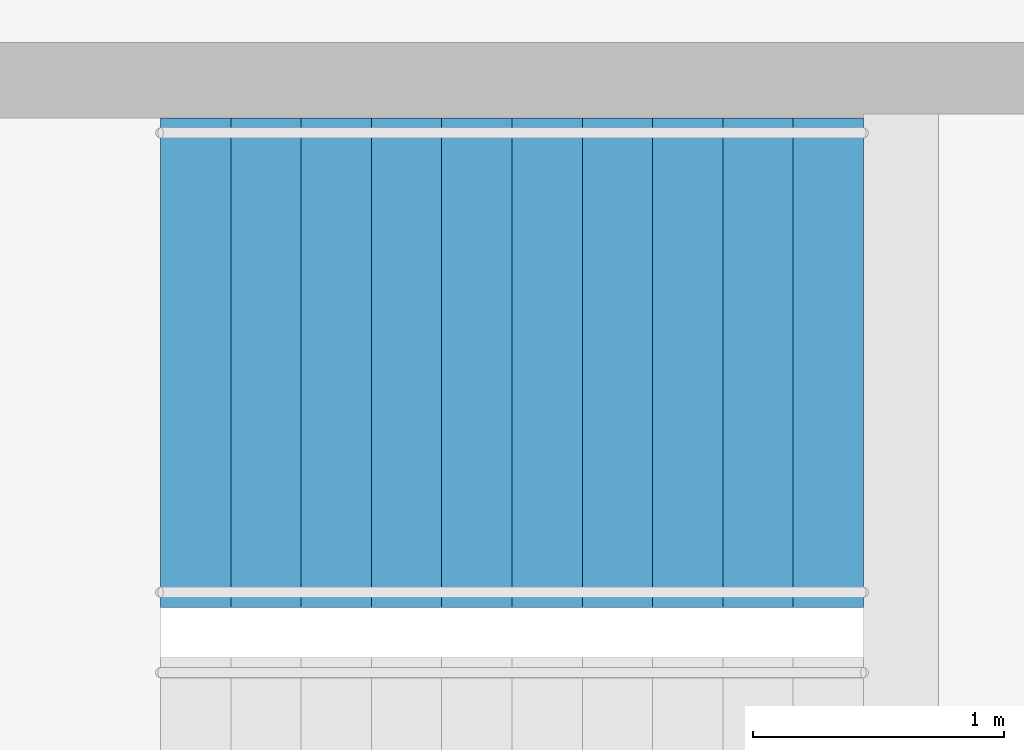
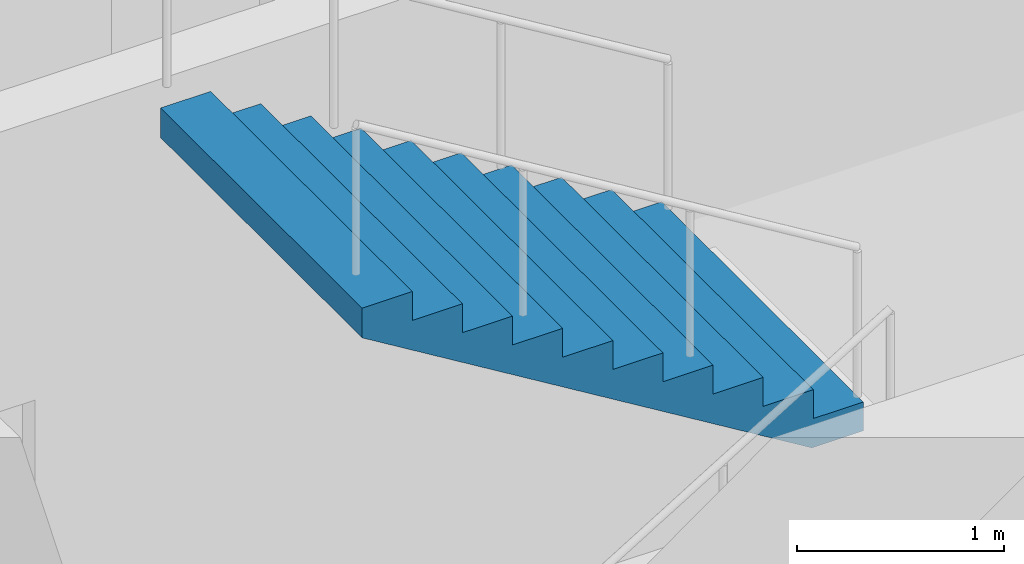
# One storey, part 20 of 23: 1 stair flight, 1 element without a shape of its own.
"""IFC4 building model written with IfcOpenShell, lengths in metres."""

from ifc_helpers import new_model, si_unit, direction, frame, origin, place, context, subcontext, project, spatial, triangles, material, type_object, element, aggregate, save


model = new_model("IFC4")

# Units and contexts
model_context = context("Model", 3, precision=1e-05, world=origin(), true_north=direction((0.0, 1.0)))
body_context = subcontext(model_context, "Body", "Model", "MODEL_VIEW")
ifc_project = project(units=[si_unit("LENGTHUNIT", "METRE"), si_unit("AREAUNIT", "SQUARE_METRE"), si_unit("VOLUMEUNIT", "CUBIC_METRE"), si_unit("PLANEANGLEUNIT", "RADIAN"), si_unit("MASSUNIT", "GRAM", prefix="KILO")], contexts=[model_context])

# Site, building, storey
site_placement = place(None, origin())
site = spatial("IfcSite", under=ifc_project, at=site_placement, CompositionType="ELEMENT")
building_placement = place(site_placement, origin())
building = spatial("IfcBuilding", under=site, at=building_placement, Name="Orbita Commons", CompositionType="ELEMENT")
storey_placement = place(building_placement, frame((0.0, 0.0, 220.300048828125)))
storey = spatial("IfcBuildingStorey", under=building, at=storey_placement, Name="L54", CompositionType="ELEMENT", Elevation=220.300048828125)

# Stair, stair flight
ifc_material_1 = material(Name="Precast concrete C40/50", Category="concrete")
stair_type = type_object("IfcStairType", Name="Exit stair S1 2 flights 11 risers 170", PredefinedType="HALF_TURN_STAIR", material=ifc_material_1)
stair_placement = place(storey_placement, origin())
stair = element("IfcStair", 1, at=stair_placement, inside=storey, type_object=stair_type, Name="Exit stair S1 L54", PredefinedType="HALF_TURN_STAIR")
ifc_material_2 = material(Name="Precast concrete C40/50", Category="concrete")
stair_flight_type = type_object("IfcStairFlightType", Name="Stair flight 11 risers 170 x 280", PredefinedType="STRAIGHT", material=ifc_material_2)
stair_flight_placement = place(storey_placement, frame((23.25, 29.27490234375, 1.875), z_axis=(0.0, 0.0, 1.0), x_axis=(-1.0, 0.0, 0.0)))
stair_flight = element("IfcStairFlight", 2, at=stair_flight_placement, type_object=stair_flight_type, Name="S1 flight 2", NumberOfRisers=11, NumberOfTreads=10, PredefinedType="STRAIGHT", RiserHeight=0.170454545, TreadLength=0.28, context=body_context, shape_type="Tessellation", body=[
    triangles([(0.0, 0.974976, 0.0), (0.0, 0.974976, 0.021307), (0.0, 0.81248, 0.021307), (0.0, 0.81248, 0.0), (0.0, 0.649984, 0.021307), (0.0, 0.649984, 0.0), (0.0, 0.487488, 0.021307), (0.0, 0.487488, 0.0), (0.0, 0.324992, 0.021307), (0.0, 0.324992, 0.0), (0.0, 0.162496, 0.021307), (0.0, 0.162496, 0.0), (0.0, 0.0, 0.021307), (0.0, 0.0, 0.0), (0.0, -0.162496, 0.021307), (0.0, -0.162496, 0.0), (0.0, -0.324992, 0.021307), (0.0, -0.324992, 0.0), (0.0, -0.487488, 0.021307), (0.0, -0.487488, 0.0), (0.0, -0.649984, 0.021307), (0.0, -0.649984, 0.0), (0.0, -0.81248, 0.021307), (0.0, -0.81248, 0.0), (0.0, -0.974976, 0.021307), (0.0, -0.974976, 0.0), (0.0, 0.974976, 0.042614), (0.0, 0.81248, 0.042614), (0.0, 0.649984, 0.042614), (0.0, 0.487488, 0.042614), (0.0, 0.324992, 0.042614), (0.0, 0.162496, 0.042614), (0.0, 0.0, 0.042614), (0.0, -0.162496, 0.042614), (0.0, -0.324992, 0.042614), (0.0, -0.487488, 0.042614), (0.0, -0.649984, 0.042614), (0.0, -0.81248, 0.042614), (0.0, -0.974976, 0.042614), (0.0, 0.974976, 0.06392), (0.0, 0.81248, 0.06392), (0.0, 0.649984, 0.06392), (0.0, 0.487488, 0.06392), (0.0, 0.324992, 0.06392), (0.0, 0.162496, 0.06392), (0.0, 0.0, 0.06392), (0.0, -0.162496, 0.06392), (0.0, -0.324992, 0.06392), (0.0, -0.487488, 0.06392), (0.0, -0.649984, 0.06392), (0.0, -0.81248, 0.06392), (0.0, -0.974976, 0.06392), (0.0, 0.974976, 0.085227), (0.0, 0.81248, 0.085227), (0.0, 0.649984, 0.085227), (0.0, 0.487488, 0.085227), (0.0, 0.324992, 0.085227), (0.0, 0.162496, 0.085227), (0.0, 0.0, 0.085227), (0.0, -0.162496, 0.085227), (0.0, -0.324992, 0.085227), (0.0, -0.487488, 0.085227), (0.0, -0.649984, 0.085227), (0.0, -0.81248, 0.085227), (0.0, -0.974976, 0.085227), (0.0, 0.974976, 0.106534), (0.0, 0.81248, 0.106534), (0.0, 0.649984, 0.106534), (0.0, 0.487488, 0.106534), (0.0, 0.324992, 0.106534), (0.0, 0.162496, 0.106534), (0.0, 0.0, 0.106534), (0.0, -0.162496, 0.106534), (0.0, -0.324992, 0.106534), (0.0, -0.487488, 0.106534), (0.0, -0.649984, 0.106534), (0.0, -0.81248, 0.106534), (0.0, -0.974976, 0.106534), (0.0, 0.974976, 0.127841), (0.0, 0.81248, 0.127841), (0.0, 0.649984, 0.127841), (0.0, 0.487488, 0.127841), (0.0, 0.324992, 0.127841), (0.0, 0.162496, 0.127841), (0.0, 0.0, 0.127841), (0.0, -0.162496, 0.127841), (0.0, -0.324992, 0.127841), (0.0, -0.487488, 0.127841), (0.0, -0.649984, 0.127841), (0.0, -0.81248, 0.127841), (0.0, -0.974976, 0.127841), (0.0, 0.974976, 0.149148), (0.0, 0.81248, 0.149148), (0.0, 0.649984, 0.149148), (0.0, 0.487488, 0.149148), (0.0, 0.324992, 0.149148), (0.0, 0.162496, 0.149148), (0.0, 0.0, 0.149148), (0.0, -0.162496, 0.149148), (0.0, -0.324992, 0.149148), (0.0, -0.487488, 0.149148), (0.0, -0.649984, 0.149148), (0.0, -0.81248, 0.149148), (0.0, -0.974976, 0.149148), (0.0, 0.974976, 0.170455), (0.0, 0.81248, 0.170455), (0.0, 0.649984, 0.170455), (0.0, 0.487488, 0.170455), (0.0, 0.324992, 0.170455), (0.0, 0.162496, 0.170455), (0.0, 0.0, 0.170455), (0.0, -0.162496, 0.170455), (0.0, -0.324992, 0.170455), (0.0, -0.487488, 0.170455), (0.0, -0.649984, 0.170455), (0.0, -0.81248, 0.170455), (0.0, -0.974976, 0.170455), (0.28, 0.974976, 0.170455), (0.28, 0.81248, 0.170455), (0.28, 0.649984, 0.170455), (0.28, 0.487488, 0.170455), (0.28, 0.324992, 0.170455), (0.28, 0.162496, 0.170455), (0.28, 0.0, 0.170455), (0.28, -0.162496, 0.170455), (0.28, -0.324992, 0.170455), (0.28, -0.487488, 0.170455), (0.28, -0.649984, 0.170455), (0.28, -0.81248, 0.170455), (0.28, -0.974976, 0.170455), (0.28, 0.974976, 0.340909), (0.28, 0.81248, 0.340909), (0.28, 0.649984, 0.340909), (0.28, 0.487488, 0.340909), (0.28, 0.324992, 0.340909), (0.28, 0.162496, 0.340909), (0.28, 0.0, 0.340909), (0.28, -0.162496, 0.340909), (0.28, -0.324992, 0.340909), (0.28, -0.487488, 0.340909), (0.28, -0.649984, 0.340909), (0.28, -0.81248, 0.340909), (0.28, -0.974976, 0.340909), (0.56, 0.974976, 0.340909), (0.56, 0.81248, 0.340909), (0.56, 0.649984, 0.340909), (0.56, 0.487488, 0.340909), (0.56, 0.324992, 0.340909), (0.56, 0.162496, 0.340909), (0.56, 0.0, 0.340909), (0.56, -0.162496, 0.340909), (0.56, -0.324992, 0.340909), (0.56, -0.487488, 0.340909), (0.56, -0.649984, 0.340909), (0.56, -0.81248, 0.340909), (0.56, -0.974976, 0.340909), (0.56, 0.974976, 0.511364), (0.56, 0.81248, 0.511364), (0.56, 0.649984, 0.511364), (0.56, 0.487488, 0.511364), (0.56, 0.324992, 0.511364), (0.56, 0.162496, 0.511364), (0.56, 0.0, 0.511364), (0.56, -0.162496, 0.511364), (0.56, -0.324992, 0.511364), (0.56, -0.487488, 0.511364), (0.56, -0.649984, 0.511364), (0.56, -0.81248, 0.511364), (0.56, -0.974976, 0.511364), (0.84, 0.974976, 0.511364), (0.84, 0.81248, 0.511364), (0.84, 0.649984, 0.511364), (0.84, 0.487488, 0.511364), (0.84, 0.324992, 0.511364), (0.84, 0.162496, 0.511364), (0.84, 0.0, 0.511364), (0.84, -0.162496, 0.511364), (0.84, -0.324992, 0.511364), (0.84, -0.487488, 0.511364), (0.84, -0.649984, 0.511364), (0.84, -0.81248, 0.511364), (0.84, -0.974976, 0.511364), (0.84, 0.974976, 0.681818), (0.84, 0.81248, 0.681818), (0.84, 0.649984, 0.681818), (0.84, 0.487488, 0.681818), (0.84, 0.324992, 0.681818), (0.84, 0.162496, 0.681818), (0.84, 0.0, 0.681818), (0.84, -0.162496, 0.681818), (0.84, -0.324992, 0.681818), (0.84, -0.487488, 0.681818), (0.84, -0.649984, 0.681818), (0.84, -0.81248, 0.681818), (0.84, -0.974976, 0.681818), (1.12, 0.974976, 0.681818), (1.12, 0.81248, 0.681818), (1.12, 0.649984, 0.681818), (1.12, 0.487488, 0.681818), (1.12, 0.324992, 0.681818), (1.12, 0.162496, 0.681818), (1.12, 0.0, 0.681818), (1.12, -0.162496, 0.681818), (1.12, -0.324992, 0.681818), (1.12, -0.487488, 0.681818), (1.12, -0.649984, 0.681818), (1.12, -0.81248, 0.681818), (1.12, -0.974976, 0.681818), (1.12, 0.974976, 0.852273), (1.12, 0.81248, 0.852273), (1.12, 0.649984, 0.852273), (1.12, 0.487488, 0.852273), (1.12, 0.324992, 0.852273), (1.12, 0.162496, 0.852273), (1.12, 0.0, 0.852273), (1.12, -0.162496, 0.852273), (1.12, -0.324992, 0.852273), (1.12, -0.487488, 0.852273), (1.12, -0.649984, 0.852273), (1.12, -0.81248, 0.852273), (1.12, -0.974976, 0.852273), (1.4, 0.974976, 0.852273), (1.4, 0.81248, 0.852273), (1.4, 0.649984, 0.852273), (1.4, 0.487488, 0.852273), (1.4, 0.324992, 0.852273), (1.4, 0.162496, 0.852273), (1.4, 0.0, 0.852273), (1.4, -0.162496, 0.852273), (1.4, -0.324992, 0.852273), (1.4, -0.487488, 0.852273), (1.4, -0.649984, 0.852273), (1.4, -0.81248, 0.852273), (1.4, -0.974976, 0.852273), (1.4, 0.974976, 1.022727), (1.4, 0.81248, 1.022727), (1.4, 0.649984, 1.022727), (1.4, 0.487488, 1.022727), (1.4, 0.324992, 1.022727), (1.4, 0.162496, 1.022727), (1.4, 0.0, 1.022727), (1.4, -0.162496, 1.022727), (1.4, -0.324992, 1.022727), (1.4, -0.487488, 1.022727), (1.4, -0.649984, 1.022727), (1.4, -0.81248, 1.022727), (1.4, -0.974976, 1.022727), (1.68, 0.974976, 1.022727), (1.68, 0.81248, 1.022727), (1.68, 0.649984, 1.022727), (1.68, 0.487488, 1.022727), (1.68, 0.324992, 1.022727), (1.68, 0.162496, 1.022727), (1.68, 0.0, 1.022727), (1.68, -0.162496, 1.022727), (1.68, -0.324992, 1.022727), (1.68, -0.487488, 1.022727), (1.68, -0.649984, 1.022727), (1.68, -0.81248, 1.022727), (1.68, -0.974976, 1.022727), (1.68, 0.974976, 1.193182), (1.68, 0.81248, 1.193182), (1.68, 0.649984, 1.193182), (1.68, 0.487488, 1.193182), (1.68, 0.324992, 1.193182), (1.68, 0.162496, 1.193182), (1.68, 0.0, 1.193182), (1.68, -0.162496, 1.193182), (1.68, -0.324992, 1.193182), (1.68, -0.487488, 1.193182), (1.68, -0.649984, 1.193182), (1.68, -0.81248, 1.193182), (1.68, -0.974976, 1.193182), (1.96, 0.974976, 1.193182), (1.96, 0.81248, 1.193182), (1.96, 0.649984, 1.193182), (1.96, 0.487488, 1.193182), (1.96, 0.324992, 1.193182), (1.96, 0.162496, 1.193182), (1.96, 0.0, 1.193182), (1.96, -0.162496, 1.193182), (1.96, -0.324992, 1.193182), (1.96, -0.487488, 1.193182), (1.96, -0.649984, 1.193182), (1.96, -0.81248, 1.193182), (1.96, -0.974976, 1.193182), (1.96, 0.974976, 1.363636), (1.96, 0.81248, 1.363636), (1.96, 0.649984, 1.363636), (1.96, 0.487488, 1.363636), (1.96, 0.324992, 1.363636), (1.96, 0.162496, 1.363636), (1.96, 0.0, 1.363636), (1.96, -0.162496, 1.363636), (1.96, -0.324992, 1.363636), (1.96, -0.487488, 1.363636), (1.96, -0.649984, 1.363636), (1.96, -0.81248, 1.363636), (1.96, -0.974976, 1.363636), (2.24, 0.974976, 1.363636), (2.24, 0.81248, 1.363636), (2.24, 0.649984, 1.363636), (2.24, 0.487488, 1.363636), (2.24, 0.324992, 1.363636), (2.24, 0.162496, 1.363636), (2.24, 0.0, 1.363636), (2.24, -0.162496, 1.363636), (2.24, -0.324992, 1.363636), (2.24, -0.487488, 1.363636), (2.24, -0.649984, 1.363636), (2.24, -0.81248, 1.363636), (2.24, -0.974976, 1.363636), (2.24, 0.974976, 1.534091), (2.24, 0.81248, 1.534091), (2.24, 0.649984, 1.534091), (2.24, 0.487488, 1.534091), (2.24, 0.324992, 1.534091), (2.24, 0.162496, 1.534091), (2.24, 0.0, 1.534091), (2.24, -0.162496, 1.534091), (2.24, -0.324992, 1.534091), (2.24, -0.487488, 1.534091), (2.24, -0.649984, 1.534091), (2.24, -0.81248, 1.534091), (2.24, -0.974976, 1.534091), (2.52, 0.974976, 1.534091), (2.52, 0.81248, 1.534091), (2.52, 0.649984, 1.534091), (2.52, 0.487488, 1.534091), (2.52, 0.324992, 1.534091), (2.52, 0.162496, 1.534091), (2.52, 0.0, 1.534091), (2.52, -0.162496, 1.534091), (2.52, -0.324992, 1.534091), (2.52, -0.487488, 1.534091), (2.52, -0.649984, 1.534091), (2.52, -0.81248, 1.534091), (2.52, -0.974976, 1.534091), (2.52, 0.974976, 1.704545), (2.52, 0.81248, 1.704545), (2.52, 0.649984, 1.704545), (2.52, 0.487488, 1.704545), (2.52, 0.324992, 1.704545), (2.52, 0.162496, 1.704545), (2.52, 0.0, 1.704545), (2.52, -0.162496, 1.704545), (2.52, -0.324992, 1.704545), (2.52, -0.487488, 1.704545), (2.52, -0.649984, 1.704545), (2.52, -0.81248, 1.704545), (2.52, -0.974976, 1.704545), (2.8, 0.974976, 1.704545), (2.8, 0.81248, 1.704545), (2.8, 0.649984, 1.704545), (2.8, 0.487488, 1.704545), (2.8, 0.324992, 1.704545), (2.8, 0.162496, 1.704545), (2.8, 0.0, 1.704545), (2.8, -0.162496, 1.704545), (2.8, -0.324992, 1.704545), (2.8, -0.487488, 1.704545), (2.8, -0.649984, 1.704545), (2.8, -0.81248, 1.704545), (2.8, -0.974976, 1.704545), (2.8, 0.974976, 1.682609), (2.8, 0.81248, 1.682609), (2.8, 0.649984, 1.682609), (2.8, 0.487488, 1.682609), (2.8, 0.324992, 1.682609), (2.8, 0.162496, 1.682609), (2.8, 0.0, 1.682609), (2.8, -0.162496, 1.682609), (2.8, -0.324992, 1.682609), (2.8, -0.487488, 1.682609), (2.8, -0.649984, 1.682609), (2.8, -0.81248, 1.682609), (2.8, -0.974976, 1.682609), (2.8, 0.974976, 1.660672), (2.8, 0.81248, 1.660672), (2.8, 0.649984, 1.660672), (2.8, 0.487488, 1.660672), (2.8, 0.324992, 1.660672), (2.8, 0.162496, 1.660672), (2.8, 0.0, 1.660672), (2.8, -0.162496, 1.660672), (2.8, -0.324992, 1.660672), (2.8, -0.487488, 1.660672), (2.8, -0.649984, 1.660672), (2.8, -0.81248, 1.660672), (2.8, -0.974976, 1.660672), (2.8, 0.974976, 1.638735), (2.8, 0.81248, 1.638735), (2.8, 0.649984, 1.638735), (2.8, 0.487488, 1.638735), (2.8, 0.324992, 1.638735), (2.8, 0.162496, 1.638735), (2.8, 0.0, 1.638735), (2.8, -0.162496, 1.638735), (2.8, -0.324992, 1.638735), (2.8, -0.487488, 1.638735), (2.8, -0.649984, 1.638735), (2.8, -0.81248, 1.638735), (2.8, -0.974976, 1.638735), (2.8, 0.974976, 1.616798), (2.8, 0.81248, 1.616798), (2.8, 0.649984, 1.616798), (2.8, 0.487488, 1.616798), (2.8, 0.324992, 1.616798), (2.8, 0.162496, 1.616798), (2.8, 0.0, 1.616798), (2.8, -0.162496, 1.616798), (2.8, -0.324992, 1.616798), (2.8, -0.487488, 1.616798), (2.8, -0.649984, 1.616798), (2.8, -0.81248, 1.616798), (2.8, -0.974976, 1.616798), (2.8, 0.974976, 1.594861), (2.8, 0.81248, 1.594861), (2.8, 0.649984, 1.594861), (2.8, 0.487488, 1.594861), (2.8, 0.324992, 1.594861), (2.8, 0.162496, 1.594861), (2.8, 0.0, 1.594861), (2.8, -0.162496, 1.594861), (2.8, -0.324992, 1.594861), (2.8, -0.487488, 1.594861), (2.8, -0.649984, 1.594861), (2.8, -0.81248, 1.594861), (2.8, -0.974976, 1.594861), (2.8, 0.974976, 1.572925), (2.8, 0.81248, 1.572925), (2.8, 0.649984, 1.572925), (2.8, 0.487488, 1.572925), (2.8, 0.324992, 1.572925), (2.8, 0.162496, 1.572925), (2.8, 0.0, 1.572925), (2.8, -0.162496, 1.572925), (2.8, -0.324992, 1.572925), (2.8, -0.487488, 1.572925), (2.8, -0.649984, 1.572925), (2.8, -0.81248, 1.572925), (2.8, -0.974976, 1.572925), (2.8, 0.974976, 1.550988), (2.8, 0.81248, 1.550988), (2.8, 0.649984, 1.550988), (2.8, 0.487488, 1.550988), (2.8, 0.324992, 1.550988), (2.8, 0.162496, 1.550988), (2.8, 0.0, 1.550988), (2.8, -0.162496, 1.550988), (2.8, -0.324992, 1.550988), (2.8, -0.487488, 1.550988), (2.8, -0.649984, 1.550988), (2.8, -0.81248, 1.550988), (2.8, -0.974976, 1.550988), (2.8, 0.974976, 1.529051), (2.8, 0.81248, 1.529051), (2.8, 0.649984, 1.529051), (2.8, 0.487488, 1.529051), (2.8, 0.324992, 1.529051), (2.8, 0.162496, 1.529051), (2.8, 0.0, 1.529051), (2.8, -0.162496, 1.529051), (2.8, -0.324992, 1.529051), (2.8, -0.487488, 1.529051), (2.8, -0.649984, 1.529051), (2.8, -0.81248, 1.529051), (2.8, -0.974976, 1.529051), (0.288279, 0.974976, 0.0), (0.288279, 0.81248, 0.0), (0.288279, 0.649984, 0.0), (0.288279, 0.487488, 0.0), (0.288279, 0.324992, 0.0), (0.288279, 0.162496, 0.0), (0.288279, 0.0, 0.0), (0.288279, -0.162496, 0.0), (0.288279, -0.324992, 0.0), (0.288279, -0.487488, 0.0), (0.288279, -0.649984, 0.0), (0.288279, -0.81248, 0.0), (0.288279, -0.974976, 0.0)], [[3, 2, 1], [4, 3, 1], [5, 3, 4], [6, 5, 4], [7, 5, 6], [8, 7, 6], [9, 7, 8], [10, 9, 8], [11, 9, 10], [12, 11, 10], [13, 11, 12], [14, 13, 12], [15, 13, 14], [16, 15, 14], [17, 15, 16], [18, 17, 16], [19, 17, 18], [20, 19, 18], [21, 19, 20], [22, 21, 20], [23, 21, 22], [24, 23, 22], [25, 23, 24], [26, 25, 24], [28, 27, 2], [3, 28, 2], [29, 28, 3], [5, 29, 3], [30, 29, 5], [7, 30, 5], [31, 30, 7], [9, 31, 7], [32, 31, 9], [11, 32, 9], [33, 32, 11], [13, 33, 11], [34, 33, 13], [15, 34, 13], [35, 34, 15], [17, 35, 15], [36, 35, 17], [19, 36, 17], [37, 36, 19], [21, 37, 19], [38, 37, 21], [23, 38, 21], [39, 38, 23], [25, 39, 23], [41, 40, 27], [28, 41, 27], [42, 41, 28], [29, 42, 28], [43, 42, 29], [30, 43, 29], [44, 43, 30], [31, 44, 30], [45, 44, 31], [32, 45, 31], [46, 45, 32], [33, 46, 32], [47, 46, 33], [34, 47, 33], [48, 47, 34], [35, 48, 34], [49, 48, 35], [36, 49, 35], [50, 49, 36], [37, 50, 36], [51, 50, 37], [38, 51, 37], [52, 51, 38], [39, 52, 38], [54, 53, 40], [41, 54, 40], [55, 54, 41], [42, 55, 41], [56, 55, 42], [43, 56, 42], [57, 56, 43], [44, 57, 43], [58, 57, 44], [45, 58, 44], [59, 58, 45], [46, 59, 45], [60, 59, 46], [47, 60, 46], [61, 60, 47], [48, 61, 47], [62, 61, 48], [49, 62, 48], [63, 62, 49], [50, 63, 49], [64, 63, 50], [51, 64, 50], [65, 64, 51], [52, 65, 51], [67, 66, 53], [54, 67, 53], [68, 67, 54], [55, 68, 54], [69, 68, 55], [56, 69, 55], [70, 69, 56], [57, 70, 56], [71, 70, 57], [58, 71, 57], [72, 71, 58], [59, 72, 58], [73, 72, 59], [60, 73, 59], [74, 73, 60], [61, 74, 60], [75, 74, 61], [62, 75, 61], [76, 75, 62], [63, 76, 62], [77, 76, 63], [64, 77, 63], [78, 77, 64], [65, 78, 64], [80, 79, 66], [67, 80, 66], [81, 80, 67], [68, 81, 67], [82, 81, 68], [69, 82, 68], [83, 82, 69], [70, 83, 69], [84, 83, 70], [71, 84, 70], [85, 84, 71], [72, 85, 71], [86, 85, 72], [73, 86, 72], [87, 86, 73], [74, 87, 73], [88, 87, 74], [75, 88, 74], [89, 88, 75], [76, 89, 75], [90, 89, 76], [77, 90, 76], [91, 90, 77], [78, 91, 77], [93, 92, 79], [80, 93, 79], [94, 93, 80], [81, 94, 80], [95, 94, 81], [82, 95, 81], [96, 95, 82], [83, 96, 82], [97, 96, 83], [84, 97, 83], [98, 97, 84], [85, 98, 84], [99, 98, 85], [86, 99, 85], [100, 99, 86], [87, 100, 86], [101, 100, 87], [88, 101, 87], [102, 101, 88], [89, 102, 88], [103, 102, 89], [90, 103, 89], [104, 103, 90], [91, 104, 90], [106, 105, 92], [93, 106, 92], [107, 106, 93], [94, 107, 93], [108, 107, 94], [95, 108, 94], [109, 108, 95], [96, 109, 95], [110, 109, 96], [97, 110, 96], [111, 110, 97], [98, 111, 97], [112, 111, 98], [99, 112, 98], [113, 112, 99], [100, 113, 99], [114, 113, 100], [101, 114, 100], [115, 114, 101], [102, 115, 101], [116, 115, 102], [103, 116, 102], [117, 116, 103], [104, 117, 103], [119, 118, 105], [106, 119, 105], [120, 119, 106], [107, 120, 106], [121, 120, 107], [108, 121, 107], [122, 121, 108], [109, 122, 108], [123, 122, 109], [110, 123, 109], [124, 123, 110], [111, 124, 110], [125, 124, 111], [112, 125, 111], [126, 125, 112], [113, 126, 112], [127, 126, 113], [114, 127, 113], [128, 127, 114], [115, 128, 114], [129, 128, 115], [116, 129, 115], [130, 129, 116], [117, 130, 116], [132, 131, 118], [119, 132, 118], [133, 132, 119], [120, 133, 119], [134, 133, 120], [121, 134, 120], [135, 134, 121], [122, 135, 121], [136, 135, 122], [123, 136, 122], [137, 136, 123], [124, 137, 123], [138, 137, 124], [125, 138, 124], [139, 138, 125], [126, 139, 125], [140, 139, 126], [127, 140, 126], [141, 140, 127], [128, 141, 127], [142, 141, 128], [129, 142, 128], [143, 142, 129], [130, 143, 129], [145, 144, 131], [132, 145, 131], [146, 145, 132], [133, 146, 132], [147, 146, 133], [134, 147, 133], [148, 147, 134], [135, 148, 134], [149, 148, 135], [136, 149, 135], [150, 149, 136], [137, 150, 136], [151, 150, 137], [138, 151, 137], [152, 151, 138], [139, 152, 138], [153, 152, 139], [140, 153, 139], [154, 153, 140], [141, 154, 140], [155, 154, 141], [142, 155, 141], [156, 155, 142], [143, 156, 142], [158, 157, 144], [145, 158, 144], [159, 158, 145], [146, 159, 145], [160, 159, 146], [147, 160, 146], [161, 160, 147], [148, 161, 147], [162, 161, 148], [149, 162, 148], [163, 162, 149], [150, 163, 149], [164, 163, 150], [151, 164, 150], [165, 164, 151], [152, 165, 151], [166, 165, 152], [153, 166, 152], [167, 166, 153], [154, 167, 153], [168, 167, 154], [155, 168, 154], [169, 168, 155], [156, 169, 155], [171, 170, 157], [158, 171, 157], [172, 171, 158], [159, 172, 158], [173, 172, 159], [160, 173, 159], [174, 173, 160], [161, 174, 160], [175, 174, 161], [162, 175, 161], [176, 175, 162], [163, 176, 162], [177, 176, 163], [164, 177, 163], [178, 177, 164], [165, 178, 164], [179, 178, 165], [166, 179, 165], [180, 179, 166], [167, 180, 166], [181, 180, 167], [168, 181, 167], [182, 181, 168], [169, 182, 168], [184, 183, 170], [171, 184, 170], [185, 184, 171], [172, 185, 171], [186, 185, 172], [173, 186, 172], [187, 186, 173], [174, 187, 173], [188, 187, 174], [175, 188, 174], [189, 188, 175], [176, 189, 175], [190, 189, 176], [177, 190, 176], [191, 190, 177], [178, 191, 177], [192, 191, 178], [179, 192, 178], [193, 192, 179], [180, 193, 179], [194, 193, 180], [181, 194, 180], [195, 194, 181], [182, 195, 181], [197, 196, 183], [184, 197, 183], [198, 197, 184], [185, 198, 184], [199, 198, 185], [186, 199, 185], [200, 199, 186], [187, 200, 186], [201, 200, 187], [188, 201, 187], [202, 201, 188], [189, 202, 188], [203, 202, 189], [190, 203, 189], [204, 203, 190], [191, 204, 190], [205, 204, 191], [192, 205, 191], [206, 205, 192], [193, 206, 192], [207, 206, 193], [194, 207, 193], [208, 207, 194], [195, 208, 194], [210, 209, 196], [197, 210, 196], [211, 210, 197], [198, 211, 197], [212, 211, 198], [199, 212, 198], [213, 212, 199], [200, 213, 199], [214, 213, 200], [201, 214, 200], [215, 214, 201], [202, 215, 201], [216, 215, 202], [203, 216, 202], [217, 216, 203], [204, 217, 203], [218, 217, 204], [205, 218, 204], [219, 218, 205], [206, 219, 205], [220, 219, 206], [207, 220, 206], [221, 220, 207], [208, 221, 207], [223, 222, 209], [210, 223, 209], [224, 223, 210], [211, 224, 210], [225, 224, 211], [212, 225, 211], [226, 225, 212], [213, 226, 212], [227, 226, 213], [214, 227, 213], [228, 227, 214], [215, 228, 214], [229, 228, 215], [216, 229, 215], [230, 229, 216], [217, 230, 216], [231, 230, 217], [218, 231, 217], [232, 231, 218], [219, 232, 218], [233, 232, 219], [220, 233, 219], [234, 233, 220], [221, 234, 220], [236, 235, 222], [223, 236, 222], [237, 236, 223], [224, 237, 223], [238, 237, 224], [225, 238, 224], [239, 238, 225], [226, 239, 225], [240, 239, 226], [227, 240, 226], [241, 240, 227], [228, 241, 227], [242, 241, 228], [229, 242, 228], [243, 242, 229], [230, 243, 229], [244, 243, 230], [231, 244, 230], [245, 244, 231], [232, 245, 231], [246, 245, 232], [233, 246, 232], [247, 246, 233], [234, 247, 233], [249, 248, 235], [236, 249, 235], [250, 249, 236], [237, 250, 236], [251, 250, 237], [238, 251, 237], [252, 251, 238], [239, 252, 238], [253, 252, 239], [240, 253, 239], [254, 253, 240], [241, 254, 240], [255, 254, 241], [242, 255, 241], [256, 255, 242], [243, 256, 242], [257, 256, 243], [244, 257, 243], [258, 257, 244], [245, 258, 244], [259, 258, 245], [246, 259, 245], [260, 259, 246], [247, 260, 246], [262, 261, 248], [249, 262, 248], [263, 262, 249], [250, 263, 249], [264, 263, 250], [251, 264, 250], [265, 264, 251], [252, 265, 251], [266, 265, 252], [253, 266, 252], [267, 266, 253], [254, 267, 253], [268, 267, 254], [255, 268, 254], [269, 268, 255], [256, 269, 255], [270, 269, 256], [257, 270, 256], [271, 270, 257], [258, 271, 257], [272, 271, 258], [259, 272, 258], [273, 272, 259], [260, 273, 259], [275, 274, 261], [262, 275, 261], [276, 275, 262], [263, 276, 262], [277, 276, 263], [264, 277, 263], [278, 277, 264], [265, 278, 264], [279, 278, 265], [266, 279, 265], [280, 279, 266], [267, 280, 266], [281, 280, 267], [268, 281, 267], [282, 281, 268], [269, 282, 268], [283, 282, 269], [270, 283, 269], [284, 283, 270], [271, 284, 270], [285, 284, 271], [272, 285, 271], [286, 285, 272], [273, 286, 272], [288, 287, 274], [275, 288, 274], [289, 288, 275], [276, 289, 275], [290, 289, 276], [277, 290, 276], [291, 290, 277], [278, 291, 277], [292, 291, 278], [279, 292, 278], [293, 292, 279], [280, 293, 279], [294, 293, 280], [281, 294, 280], [295, 294, 281], [282, 295, 281], [296, 295, 282], [283, 296, 282], [297, 296, 283], [284, 297, 283], [298, 297, 284], [285, 298, 284], [299, 298, 285], [286, 299, 285], [301, 300, 287], [288, 301, 287], [302, 301, 288], [289, 302, 288], [303, 302, 289], [290, 303, 289], [304, 303, 290], [291, 304, 290], [305, 304, 291], [292, 305, 291], [306, 305, 292], [293, 306, 292], [307, 306, 293], [294, 307, 293], [308, 307, 294], [295, 308, 294], [309, 308, 295], [296, 309, 295], [310, 309, 296], [297, 310, 296], [311, 310, 297], [298, 311, 297], [312, 311, 298], [299, 312, 298], [314, 313, 300], [301, 314, 300], [315, 314, 301], [302, 315, 301], [316, 315, 302], [303, 316, 302], [317, 316, 303], [304, 317, 303], [318, 317, 304], [305, 318, 304], [319, 318, 305], [306, 319, 305], [320, 319, 306], [307, 320, 306], [321, 320, 307], [308, 321, 307], [322, 321, 308], [309, 322, 308], [323, 322, 309], [310, 323, 309], [324, 323, 310], [311, 324, 310], [325, 324, 311], [312, 325, 311], [327, 326, 313], [314, 327, 313], [328, 327, 314], [315, 328, 314], [329, 328, 315], [316, 329, 315], [330, 329, 316], [317, 330, 316], [331, 330, 317], [318, 331, 317], [332, 331, 318], [319, 332, 318], [333, 332, 319], [320, 333, 319], [334, 333, 320], [321, 334, 320], [335, 334, 321], [322, 335, 321], [336, 335, 322], [323, 336, 322], [337, 336, 323], [324, 337, 323], [338, 337, 324], [325, 338, 324], [340, 339, 326], [327, 340, 326], [341, 340, 327], [328, 341, 327], [342, 341, 328], [329, 342, 328], [343, 342, 329], [330, 343, 329], [344, 343, 330], [331, 344, 330], [345, 344, 331], [332, 345, 331], [346, 345, 332], [333, 346, 332], [347, 346, 333], [334, 347, 333], [348, 347, 334], [335, 348, 334], [349, 348, 335], [336, 349, 335], [350, 349, 336], [337, 350, 336], [351, 350, 337], [338, 351, 337], [353, 352, 339], [340, 353, 339], [354, 353, 340], [341, 354, 340], [355, 354, 341], [342, 355, 341], [356, 355, 342], [343, 356, 342], [357, 356, 343], [344, 357, 343], [358, 357, 344], [345, 358, 344], [359, 358, 345], [346, 359, 345], [360, 359, 346], [347, 360, 346], [361, 360, 347], [348, 361, 347], [362, 361, 348], [349, 362, 348], [363, 362, 349], [350, 363, 349], [364, 363, 350], [351, 364, 350], [366, 365, 352], [353, 366, 352], [367, 366, 353], [354, 367, 353], [368, 367, 354], [355, 368, 354], [369, 368, 355], [356, 369, 355], [370, 369, 356], [357, 370, 356], [371, 370, 357], [358, 371, 357], [372, 371, 358], [359, 372, 358], [373, 372, 359], [360, 373, 359], [374, 373, 360], [361, 374, 360], [375, 374, 361], [362, 375, 361], [376, 375, 362], [363, 376, 362], [377, 376, 363], [364, 377, 363], [379, 378, 365], [366, 379, 365], [380, 379, 366], [367, 380, 366], [381, 380, 367], [368, 381, 367], [382, 381, 368], [369, 382, 368], [383, 382, 369], [370, 383, 369], [384, 383, 370], [371, 384, 370], [385, 384, 371], [372, 385, 371], [386, 385, 372], [373, 386, 372], [387, 386, 373], [374, 387, 373], [388, 387, 374], [375, 388, 374], [389, 388, 375], [376, 389, 375], [390, 389, 376], [377, 390, 376], [392, 391, 378], [379, 392, 378], [393, 392, 379], [380, 393, 379], [394, 393, 380], [381, 394, 380], [395, 394, 381], [382, 395, 381], [396, 395, 382], [383, 396, 382], [397, 396, 383], [384, 397, 383], [398, 397, 384], [385, 398, 384], [399, 398, 385], [386, 399, 385], [400, 399, 386], [387, 400, 386], [401, 400, 387], [388, 401, 387], [402, 401, 388], [389, 402, 388], [403, 402, 389], [390, 403, 389], [405, 404, 391], [392, 405, 391], [406, 405, 392], [393, 406, 392], [407, 406, 393], [394, 407, 393], [408, 407, 394], [395, 408, 394], [409, 408, 395], [396, 409, 395], [410, 409, 396], [397, 410, 396], [411, 410, 397], [398, 411, 397], [412, 411, 398], [399, 412, 398], [413, 412, 399], [400, 413, 399], [414, 413, 400], [401, 414, 400], [415, 414, 401], [402, 415, 401], [416, 415, 402], [403, 416, 402], [418, 417, 404], [405, 418, 404], [419, 418, 405], [406, 419, 405], [420, 419, 406], [407, 420, 406], [421, 420, 407], [408, 421, 407], [422, 421, 408], [409, 422, 408], [423, 422, 409], [410, 423, 409], [424, 423, 410], [411, 424, 410], [425, 424, 411], [412, 425, 411], [426, 425, 412], [413, 426, 412], [427, 426, 413], [414, 427, 413], [428, 427, 414], [415, 428, 414], [429, 428, 415], [416, 429, 415], [431, 430, 417], [418, 431, 417], [432, 431, 418], [419, 432, 418], [433, 432, 419], [420, 433, 419], [434, 433, 420], [421, 434, 420], [435, 434, 421], [422, 435, 421], [436, 435, 422], [423, 436, 422], [437, 436, 423], [424, 437, 423], [438, 437, 424], [425, 438, 424], [439, 438, 425], [426, 439, 425], [440, 439, 426], [427, 440, 426], [441, 440, 427], [428, 441, 427], [442, 441, 428], [429, 442, 428], [444, 443, 430], [431, 444, 430], [445, 444, 431], [432, 445, 431], [446, 445, 432], [433, 446, 432], [447, 446, 433], [434, 447, 433], [448, 447, 434], [435, 448, 434], [449, 448, 435], [436, 449, 435], [450, 449, 436], [437, 450, 436], [451, 450, 437], [438, 451, 437], [452, 451, 438], [439, 452, 438], [453, 452, 439], [440, 453, 439], [454, 453, 440], [441, 454, 440], [455, 454, 441], [442, 455, 441], [457, 456, 443], [444, 457, 443], [458, 457, 444], [445, 458, 444], [459, 458, 445], [446, 459, 445], [460, 459, 446], [447, 460, 446], [461, 460, 447], [448, 461, 447], [462, 461, 448], [449, 462, 448], [463, 462, 449], [450, 463, 449], [464, 463, 450], [451, 464, 450], [465, 464, 451], [452, 465, 451], [466, 465, 452], [453, 466, 452], [467, 466, 453], [454, 467, 453], [468, 467, 454], [455, 468, 454], [470, 469, 456], [457, 470, 456], [471, 470, 457], [458, 471, 457], [472, 471, 458], [459, 472, 458], [473, 472, 459], [460, 473, 459], [474, 473, 460], [461, 474, 460], [475, 474, 461], [462, 475, 461], [476, 475, 462], [463, 476, 462], [477, 476, 463], [464, 477, 463], [478, 477, 464], [465, 478, 464], [479, 478, 465], [466, 479, 465], [480, 479, 466], [467, 480, 466], [481, 480, 467], [468, 481, 467], [4, 1, 469], [470, 4, 469], [6, 4, 470], [471, 6, 470], [8, 6, 471], [472, 8, 471], [10, 8, 472], [473, 10, 472], [12, 10, 473], [474, 12, 473], [14, 12, 474], [475, 14, 474], [16, 14, 475], [476, 16, 475], [18, 16, 476], [477, 18, 476], [20, 18, 477], [478, 20, 477], [22, 20, 478], [479, 22, 478], [24, 22, 479], [480, 24, 479], [26, 24, 480], [481, 26, 480], [456, 469, 1], [26, 481, 468], [443, 456, 1], [26, 468, 455], [430, 443, 1], [26, 455, 442], [417, 430, 1], [26, 442, 429], [404, 417, 1], [26, 429, 416], [391, 404, 1], [26, 416, 403], [378, 391, 1], [26, 403, 390], [365, 378, 1], [26, 390, 377], [339, 352, 365], [377, 364, 351], [326, 339, 365], [377, 351, 338], [300, 313, 326], [338, 325, 312], [300, 326, 365], [377, 338, 312], [274, 287, 300], [312, 299, 286], [274, 300, 365], [377, 312, 286], [248, 261, 274], [286, 273, 260], [248, 274, 365], [377, 286, 260], [222, 235, 248], [260, 247, 234], [222, 248, 365], [377, 260, 234], [196, 209, 222], [234, 221, 208], [196, 222, 365], [377, 234, 208], [170, 183, 196], [208, 195, 182], [170, 196, 365], [377, 208, 182], [144, 157, 170], [182, 169, 156], [144, 170, 365], [377, 182, 156], [118, 131, 144], [156, 143, 130], [118, 144, 365], [377, 156, 130], [118, 365, 1], [26, 377, 130], [92, 105, 118], [130, 117, 104], [79, 92, 118], [130, 104, 91], [66, 79, 118], [130, 91, 78], [53, 66, 118], [130, 78, 65], [40, 53, 118], [130, 65, 52], [27, 40, 118], [130, 52, 39], [2, 27, 118], [130, 39, 25], [1, 2, 118], [130, 25, 26]], closed=True),
])
aggregate(stair, [stair_flight])

save(model, "model.ifc")
